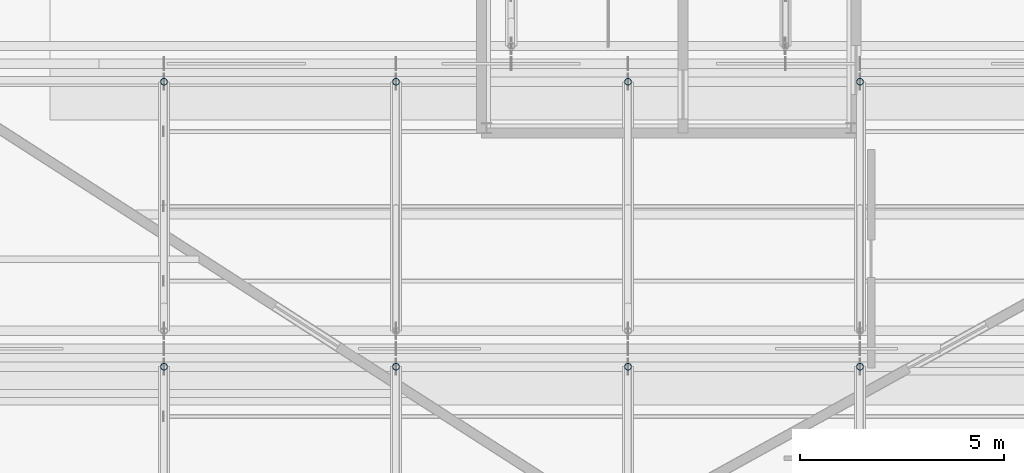
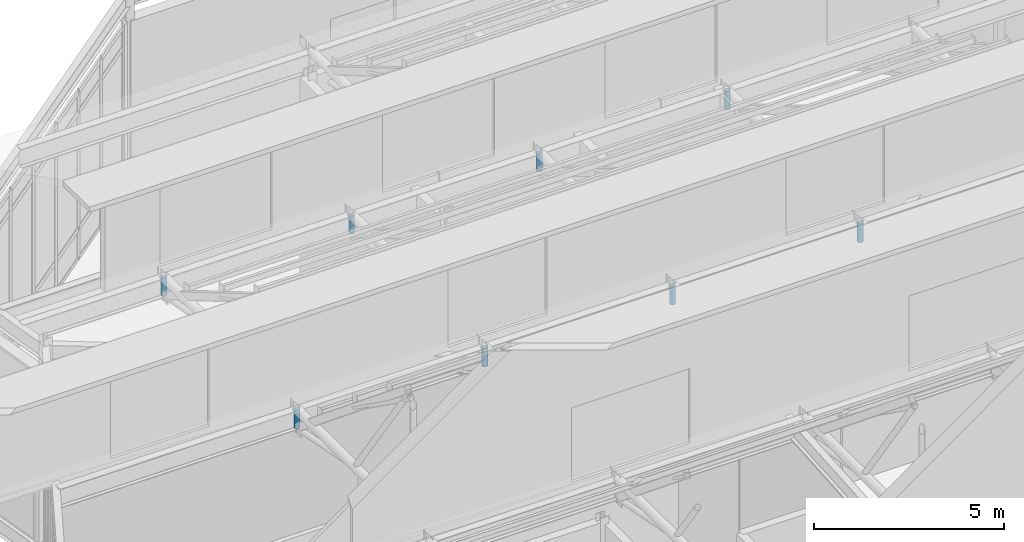
# One storey, part 40 of 55: 8 members.
"""IFC4 building model written with IfcOpenShell, lengths in metres."""

from ifc_helpers import new_model, si_unit, direction, frame, origin, origin_2d, place, context, subcontext, project, spatial, hollow_circle, extrude, material, material_profile, profile_set, type_object, element, save


model = new_model("IFC4")

# Units and contexts
model_context = context("Model", 3, precision=1e-05, world=origin(), true_north=direction((0.0, 1.0)))
body_context = subcontext(model_context, "Body", "Model", "MODEL_VIEW")
ifc_project = project(units=[si_unit("LENGTHUNIT", "METRE"), si_unit("AREAUNIT", "SQUARE_METRE"), si_unit("VOLUMEUNIT", "CUBIC_METRE"), si_unit("PLANEANGLEUNIT", "RADIAN"), si_unit("MASSUNIT", "GRAM", prefix="KILO")], contexts=[model_context])

# Site, building, storey
site_placement = place(None, origin())
site = spatial("IfcSite", under=ifc_project, at=site_placement, CompositionType="ELEMENT")
building_placement = place(site_placement, origin())
building = spatial("IfcBuilding", under=site, at=building_placement, Name="Tameran Prism Museum", CompositionType="ELEMENT")
storey_placement = place(building_placement, frame((0.0, 0.0, 28.800048828125)))
storey = spatial("IfcBuildingStorey", under=building, at=storey_placement, Name="L05", CompositionType="ELEMENT", Elevation=28.800048828125)

# Members
ifc_material = material(Name="Steel Grade C350L0 (350 MPa)", Category="steel")
ifc_material_profile = material_profile(ifc_material, hollow_circle(Radius=0.084228515625, WallThickness=0.007080078125, at=origin_2d()))
ifc_profile_set = profile_set([ifc_material_profile])
member_type = type_object("IfcMemberType", Name="MM-BR-CHS168", PredefinedType="BRACE", material=ifc_profile_set)
for number, where, z_axis, x_axis, name in (
    (1, (107.60009765625, 93.06005859375, 6.385986328125), (0.0, 0.0, -1.0), (1.0, 0.0, 0.0), "Sawtooth Brace STM-0081"),
    (2, (113.300048828125, 93.06005859375, 6.385986328125), (0.0, 0.0, -1.0), (1.0, 0.0, 0.0), "Sawtooth Brace STM-0088"),
    (3, (119.0, 93.06005859375, 6.385986328125), (0.0, 0.0, -1.0), (1.0, 0.0, 0.0), "Sawtooth Brace STM-0095"),
    (4, (124.699951171875, 93.06005859375, 6.385986328125), (0.0, 0.0, -1.0), (1.0, 0.0, 0.0), "Sawtooth Brace STM-0102"),
):
    element("IfcMember", number, at=place(storey_placement, frame(where, z_axis=z_axis, x_axis=x_axis)), inside=storey, type_object=member_type, Name=name, PredefinedType="BRACE", context=body_context, shape_type="SweptSolid", body=[
        extrude(hollow_circle(Radius=0.084228515625, WallThickness=0.007080078125, at=origin_2d()), origin(), (0.0, 0.0, 1.0), 0.59814453125),
    ])
for number, where, z_axis, x_axis, name in (
    (5, (107.60009765625, 100.06005859375, 6.385986328125), (0.0, 0.0, -1.0), (1.0, 0.0, 0.0), "Sawtooth Brace STM-0116"),
    (6, (113.300048828125, 100.06005859375, 6.385986328125), (0.0, 0.0, -1.0), (1.0, 0.0, 0.0), "Sawtooth Brace STM-0123"),
    (7, (119.0, 100.06005859375, 6.385986328125), (0.0, 0.0, -1.0), (1.0, 0.0, 0.0), "Sawtooth Brace STM-0130"),
    (8, (124.699951171875, 100.06005859375, 6.385986328125), (0.0, 0.0, -1.0), (1.0, 0.0, 0.0), "Sawtooth Brace STM-0137"),
):
    element("IfcMember", number, at=place(storey_placement, frame(where, z_axis=z_axis, x_axis=x_axis)), inside=storey, type_object=member_type, Name=name, PredefinedType="BRACE", context=body_context, shape_type="SweptSolid", body=[
        extrude(hollow_circle(Radius=0.084228515625, WallThickness=0.007080078125, at=origin_2d()), origin(), (0.0, 0.0, 1.0), 0.5771484375),
    ])

save(model, "model.ifc")
